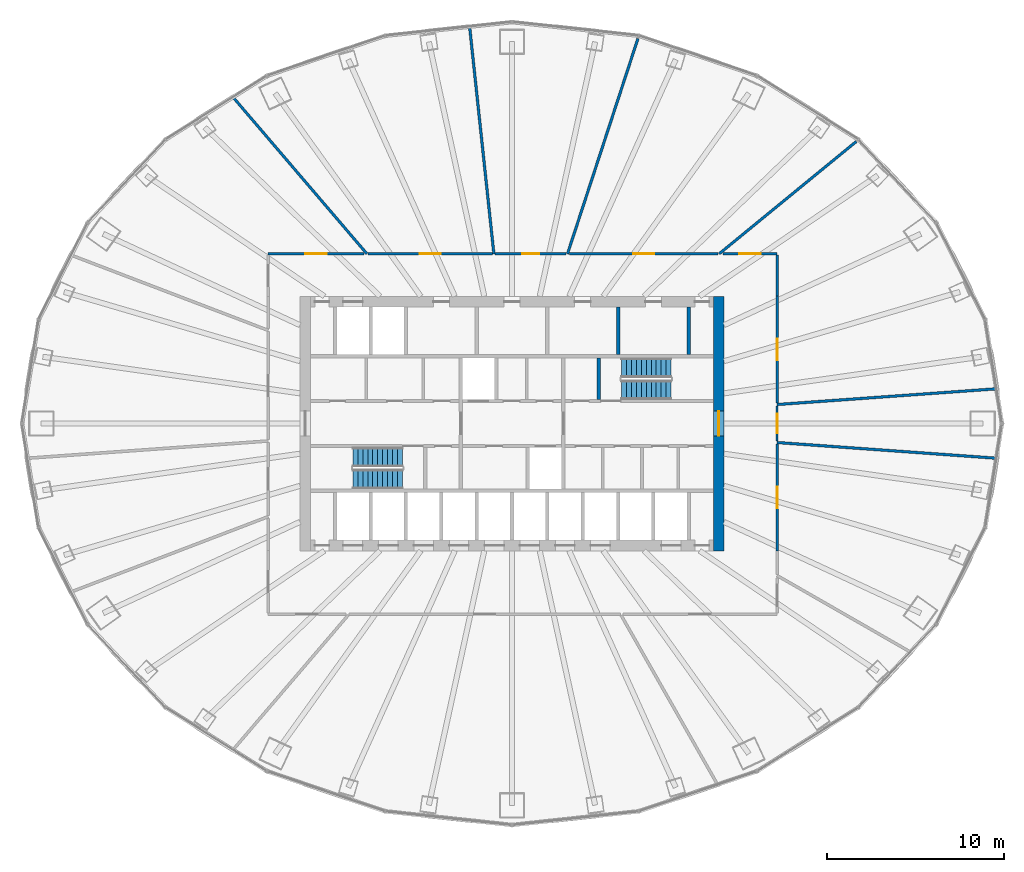
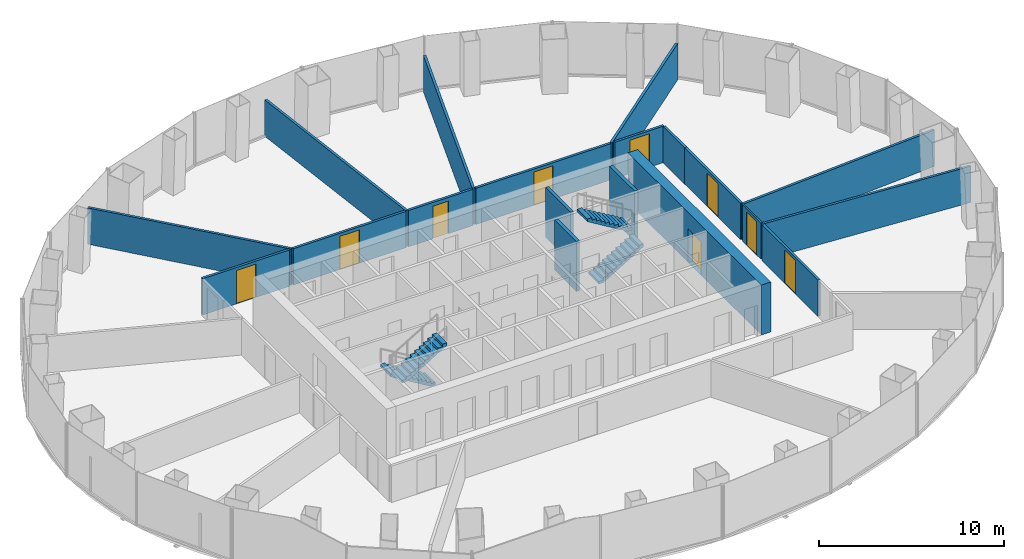
# One storey, part 10 of 11: 19 walls, 9 doors, 4 stair flights, 9 openings, 2 elements without a shape of their own.
"""IFC4 building model written with IfcOpenShell, lengths in metres."""

from ifc_helpers import new_model, si_unit, direction, frame, frame_2d, origin, place, context, subcontext, project, spatial, polyline, rectangle, outline, extrude, material, layer, layer_set, type_object, element, fill, aggregate, save


model = new_model("IFC4")

# Units and contexts
model_context = context("Model", 3, precision=1e-05, world=origin(), true_north=direction((0.0, 1.0)))
body_context = subcontext(model_context, "Body", "Model", "MODEL_VIEW")
ifc_project = project(units=[si_unit("LENGTHUNIT", "METRE"), si_unit("AREAUNIT", "SQUARE_METRE"), si_unit("VOLUMEUNIT", "CUBIC_METRE"), si_unit("PLANEANGLEUNIT", "RADIAN"), si_unit("MASSUNIT", "GRAM", prefix="KILO")], contexts=[model_context])

# Site, building, storey
site_placement = place(None, origin())
site = spatial("IfcSite", under=ifc_project, at=site_placement, CompositionType="ELEMENT")
building_placement = place(site_placement, origin())
building = spatial("IfcBuilding", under=site, at=building_placement, Name="Siaravel Broadcast Tower", CompositionType="ELEMENT")
storey_placement = place(building_placement, frame((0.0, 0.0, 51.89990234375)))
storey = spatial("IfcBuildingStorey", under=building, at=storey_placement, Name="L11", CompositionType="ELEMENT", Elevation=51.89990234375)

# Wall
ifc_material_1 = material(Name="Concrete blockwork", Category="masonry")
ifc_layer_1 = layer(ifc_material_1, 0.199951171875)
ifc_layer_set_1 = layer_set([ifc_layer_1], Name="Concrete blockwork")
wall_type_1 = type_object("IfcWallType", Name="Core partition 200", PredefinedType="PARTITIONING", material=ifc_layer_set_1)
wall_1_placement = place(storey_placement, frame((6.0, 3.89990234375, 0.0), z_axis=(0.0, 0.0, 1.0), x_axis=(0.0, 1.0, 0.0)))
element("IfcWall", 1, at=wall_1_placement, inside=storey, type_object=wall_type_1, Name="L11 core partition PFN6", PredefinedType="PARTITIONING", context=body_context, shape_type="SweptSolid", body=[
    extrude(rectangle(XDim=2.7001953125, YDim=0.199951171875, at=frame_2d((1.35009765625, 0.0))), origin(), (0.0, 0.0, 1.0), 3.300048828125),
])

# Wall, opening, door
ifc_material_2 = material(Name="Concrete C60/75", Category="concrete")
ifc_layer_2 = layer(ifc_material_2, 0.60009765625)
ifc_layer_set_2 = layer_set([ifc_layer_2], Name="Concrete C60/75")
wall_type_2 = type_object("IfcWallType", Name="Core wall 600", PredefinedType="SHEAR", material=ifc_layer_set_2)
wall_2_placement = place(storey_placement, frame((11.699951171875, -7.199951171875, 0.0), z_axis=(0.0, 0.0, 1.0), x_axis=(0.0, 1.0, 0.0)))
wall_2 = element("IfcWall", 2, at=wall_2_placement, inside=storey, type_object=wall_type_2, Name="L11 core wall OE", PredefinedType="SHEAR", context=body_context, shape_type="SweptSolid", body=[
    extrude(rectangle(XDim=14.39990234375, YDim=0.60009765625, at=frame_2d((7.199951171875, 0.0))), origin(), (0.0, 0.0, 1.0), 3.300048828125),
])
opening_1_placement = place(wall_2_placement, frame((6.5, 0.0, 0.0)))
opening_1 = element("IfcOpeningElement", 3, at=opening_1_placement, cuts=wall_2, Name="Opening L11-DX-E", PredefinedType="OPENING", context=body_context, shape_type="SweptSolid", body=[
    extrude(rectangle(XDim=1.39990234375, YDim=2.199951171875, at=frame_2d((0.699951171875, 1.10009765625))), frame((0.0, 0.31005859375, 0.0), z_axis=(0.0, -1.0, 0.0), x_axis=(1.0, 0.0, 0.0)), (0.0, 0.0, 1.0), 0.6201171875),
])
ifc_material_3 = material(Name="Steel", Category="steel")
door_type_1 = type_object("IfcDoorType", Name="Core exit door 1400", OperationType="DOUBLE_DOOR_SINGLE_SWING", PredefinedType="DOOR", material=ifc_material_3)
door_1_placement = place(opening_1_placement, origin())
door_1 = element("IfcDoor", 4, at=door_1_placement, inside=storey, type_object=door_type_1, Name="L11 door DX-E", OperationType="DOUBLE_DOOR_SINGLE_SWING", OverallHeight=2.199951171875, OverallWidth=1.39990234375, PredefinedType="DOOR", context=body_context, shape_type="SweptSolid", body=[
    extrude(rectangle(XDim=1.39990234375, YDim=2.199951171875, at=frame_2d((0.699951171875, 1.10009765625))), frame((0.0, 0.02490234375, 0.0), z_axis=(0.0, -1.0, 0.0), x_axis=(1.0, 0.0, 0.0)), (0.0, 0.0, 1.0), 0.050048828125),
])
fill(opening_1, door_1)

ifc_material_4 = material(Name="Gypsum board partition", Category="gypsum")
ifc_layer_3 = layer(ifc_material_4, 0.14990234375)
ifc_layer_set_3 = layer_set([ifc_layer_3], Name="Gypsum board partition")
wall_type_3 = type_object("IfcWallType", Name="Corridor wall 150", PredefinedType="PARTITIONING", material=ifc_layer_set_3)
wall_3_placement = place(storey_placement, frame((11.67041015625, 9.60009765625, 0.0), z_axis=(0.0, 0.0, 1.0), x_axis=(-1.0, 0.0, 0.0)))
wall_3 = element("IfcWall", 5, at=wall_3_placement, inside=storey, type_object=wall_type_3, Name="L11 partition 15", PredefinedType="PARTITIONING", context=body_context, shape_type="SweptSolid", body=[
    extrude(rectangle(XDim=8.424560546875, YDim=0.14990234375, at=frame_2d((4.21240234375, 0.0))), origin(), (0.0, 0.0, 1.0), 2.400146484375),
])
opening_2_placement = place(wall_3_placement, frame((3.6123046875, 0.0, 0.0)))
opening_2 = element("IfcOpeningElement", 6, at=opening_2_placement, cuts=wall_3, Name="Opening L11-003", PredefinedType="OPENING", context=body_context, shape_type="SweptSolid", body=[
    extrude(rectangle(XDim=1.199951171875, YDim=2.199951171875, at=frame_2d((0.60009765625, 1.10009765625))), frame((0.0, 0.0849609375, 0.0), z_axis=(0.0, -1.0, 0.0), x_axis=(1.0, 0.0, 0.0)), (0.0, 0.0, 1.0), 0.169921875),
])
ifc_material_5 = material(Name="Timber veneer", Category="wood")
door_type_2 = type_object("IfcDoorType", Name="Office double door 1200", OperationType="DOUBLE_DOOR_SINGLE_SWING", PredefinedType="DOOR", material=ifc_material_5)
door_2_placement = place(opening_2_placement, origin())
door_2 = element("IfcDoor", 7, at=door_2_placement, inside=storey, type_object=door_type_2, Name="L11 door to Open plan newsroom", OperationType="DOUBLE_DOOR_SINGLE_SWING", OverallHeight=2.199951171875, OverallWidth=1.199951171875, PredefinedType="DOOR", context=body_context, shape_type="SweptSolid", body=[
    extrude(rectangle(XDim=1.199951171875, YDim=2.199951171875, at=frame_2d((0.60009765625, 1.10009765625))), frame((0.0, 0.02490234375, 0.0), z_axis=(0.0, -1.0, 0.0), x_axis=(1.0, 0.0, 0.0)), (0.0, 0.0, 1.0), 0.050048828125),
])
fill(opening_2, door_2)

wall_4_placement = place(storey_placement, frame((-1.11083984375, 9.60009765625, 0.0), z_axis=(0.0, 0.0, 1.0), x_axis=(-1.0, 0.0, 0.0)))
wall_4 = element("IfcWall", 8, at=wall_4_placement, inside=storey, type_object=wall_type_3, Name="L11 partition 16", PredefinedType="PARTITIONING", context=body_context, shape_type="SweptSolid", body=[
    extrude(rectangle(XDim=7.03662109375, YDim=0.14990234375, at=frame_2d((3.518310546875, 0.0))), origin(), (0.0, 0.0, 1.0), 2.400146484375),
])
opening_3_placement = place(wall_4_placement, frame((2.918212890625, 0.0, 0.0)))
opening_3 = element("IfcOpeningElement", 9, at=opening_3_placement, cuts=wall_4, Name="Opening L11-005", PredefinedType="OPENING", context=body_context, shape_type="SweptSolid", body=[
    extrude(rectangle(XDim=1.199951171875, YDim=2.199951171875, at=frame_2d((0.60009765625, 1.10009765625))), frame((0.0, 0.0849609375, 0.0), z_axis=(0.0, -1.0, 0.0), x_axis=(1.0, 0.0, 0.0)), (0.0, 0.0, 1.0), 0.169921875),
])
door_3_placement = place(opening_3_placement, origin())
door_3 = element("IfcDoor", 10, at=door_3_placement, inside=storey, type_object=door_type_2, Name="L11 door to Open plan newsroom", OperationType="DOUBLE_DOOR_SINGLE_SWING", OverallHeight=2.199951171875, OverallWidth=1.199951171875, PredefinedType="DOOR", context=body_context, shape_type="SweptSolid", body=[
    extrude(rectangle(XDim=1.199951171875, YDim=2.199951171875, at=frame_2d((0.60009765625, 1.10009765625))), frame((0.0, 0.02490234375, 0.0), z_axis=(0.0, -1.0, 0.0), x_axis=(1.0, 0.0, 0.0)), (0.0, 0.0, 1.0), 0.050048828125),
])
fill(opening_3, door_3)

wall_5_placement = place(storey_placement, frame((15.0, -7.2119140625, 0.0), z_axis=(0.0, 0.0, 1.0), x_axis=(0.0, 1.0, 0.0)))
wall_5 = element("IfcWall", 11, at=wall_5_placement, inside=storey, type_object=wall_type_3, Name="L11 partition 18", PredefinedType="PARTITIONING", context=body_context, shape_type="SweptSolid", body=[
    extrude(rectangle(XDim=6.054443359375, YDim=0.14990234375, at=frame_2d((3.02734375, 0.0))), origin(), (0.0, 0.0, 1.0), 2.400146484375),
])
opening_4_placement = place(wall_5_placement, frame((2.42724609375, 0.0, 0.0)))
opening_4 = element("IfcOpeningElement", 12, at=opening_4_placement, cuts=wall_5, Name="Opening L11-015", PredefinedType="OPENING", context=body_context, shape_type="SweptSolid", body=[
    extrude(rectangle(XDim=1.199951171875, YDim=2.199951171875, at=frame_2d((0.60009765625, 1.10009765625))), frame((0.0, 0.0849609375, 0.0), z_axis=(0.0, -1.0, 0.0), x_axis=(1.0, 0.0, 0.0)), (0.0, 0.0, 1.0), 0.169921875),
])
door_4_placement = place(opening_4_placement, origin())
door_4 = element("IfcDoor", 13, at=door_4_placement, inside=storey, type_object=door_type_2, Name="L11 door to Open plan newsroom", OperationType="DOUBLE_DOOR_SINGLE_SWING", OverallHeight=2.199951171875, OverallWidth=1.199951171875, PredefinedType="DOOR", context=body_context, shape_type="SweptSolid", body=[
    extrude(rectangle(XDim=1.199951171875, YDim=2.199951171875, at=frame_2d((0.60009765625, 1.10009765625))), frame((0.0, 0.02490234375, 0.0), z_axis=(0.0, -1.0, 0.0), x_axis=(1.0, 0.0, 0.0)), (0.0, 0.0, 1.0), 0.050048828125),
])
fill(opening_4, door_4)

wall_6_placement = place(storey_placement, frame((15.0, 1.157470703125, 0.0), z_axis=(0.0, 0.0, 1.0), x_axis=(0.0, 1.0, 0.0)))
wall_6 = element("IfcWall", 14, at=wall_6_placement, inside=storey, type_object=wall_type_3, Name="L11 partition 19", PredefinedType="PARTITIONING", context=body_context, shape_type="SweptSolid", body=[
    extrude(rectangle(XDim=6.054443359375, YDim=0.14990234375, at=frame_2d((3.02734375, 0.0))), origin(), (0.0, 0.0, 1.0), 2.400146484375),
])
opening_5_placement = place(wall_6_placement, frame((2.42724609375, 0.0, 0.0)))
opening_5 = element("IfcOpeningElement", 15, at=opening_5_placement, cuts=wall_6, Name="Opening L11-001", PredefinedType="OPENING", context=body_context, shape_type="SweptSolid", body=[
    extrude(rectangle(XDim=1.199951171875, YDim=2.199951171875, at=frame_2d((0.60009765625, 1.10009765625))), frame((0.0, 0.0849609375, 0.0), z_axis=(0.0, -1.0, 0.0), x_axis=(1.0, 0.0, 0.0)), (0.0, 0.0, 1.0), 0.169921875),
])
door_5_placement = place(opening_5_placement, origin())
door_5 = element("IfcDoor", 16, at=door_5_placement, inside=storey, type_object=door_type_2, Name="L11 door to Open plan newsroom", OperationType="DOUBLE_DOOR_SINGLE_SWING", OverallHeight=2.199951171875, OverallWidth=1.199951171875, PredefinedType="DOOR", context=body_context, shape_type="SweptSolid", body=[
    extrude(rectangle(XDim=1.199951171875, YDim=2.199951171875, at=frame_2d((0.60009765625, 1.10009765625))), frame((0.0, 0.02490234375, 0.0), z_axis=(0.0, -1.0, 0.0), x_axis=(1.0, 0.0, 0.0)), (0.0, 0.0, 1.0), 0.050048828125),
])
fill(opening_5, door_5)

wall_7_placement = place(storey_placement, frame((-8.37109375, 9.60009765625, 0.0), z_axis=(0.0, 0.0, 1.0), x_axis=(-1.0, 0.0, 0.0)))
wall_7 = element("IfcWall", 17, at=wall_7_placement, inside=storey, type_object=wall_type_3, Name="L11 partition 20", PredefinedType="PARTITIONING", context=body_context, shape_type="SweptSolid", body=[
    extrude(rectangle(XDim=5.428955078125, YDim=0.14990234375, at=frame_2d((2.71435546875, 0.0))), origin(), (0.0, 0.0, 1.0), 2.400146484375),
])
opening_6_placement = place(wall_7_placement, frame((2.114501953125, 0.0, 0.0)))
opening_6 = element("IfcOpeningElement", 18, at=opening_6_placement, cuts=wall_7, Name="Opening L11-006", PredefinedType="OPENING", context=body_context, shape_type="SweptSolid", body=[
    extrude(rectangle(XDim=1.199951171875, YDim=2.199951171875, at=frame_2d((0.60009765625, 1.10009765625))), frame((0.0, 0.0849609375, 0.0), z_axis=(0.0, -1.0, 0.0), x_axis=(1.0, 0.0, 0.0)), (0.0, 0.0, 1.0), 0.169921875),
])
door_6_placement = place(opening_6_placement, origin())
door_6 = element("IfcDoor", 19, at=door_6_placement, inside=storey, type_object=door_type_2, Name="L11 door to Open plan newsroom", OperationType="DOUBLE_DOOR_SINGLE_SWING", OverallHeight=2.199951171875, OverallWidth=1.199951171875, PredefinedType="DOOR", context=body_context, shape_type="SweptSolid", body=[
    extrude(rectangle(XDim=1.199951171875, YDim=2.199951171875, at=frame_2d((0.60009765625, 1.10009765625))), frame((0.0, 0.02490234375, 0.0), z_axis=(0.0, -1.0, 0.0), x_axis=(1.0, 0.0, 0.0)), (0.0, 0.0, 1.0), 0.050048828125),
])
fill(opening_6, door_6)

wall_8_placement = place(storey_placement, frame((3.067138671875, 9.60009765625, 0.0), z_axis=(0.0, 0.0, 1.0), x_axis=(-1.0, 0.0, 0.0)))
wall_8 = element("IfcWall", 20, at=wall_8_placement, inside=storey, type_object=wall_type_3, Name="L11 partition 23", PredefinedType="PARTITIONING", context=body_context, shape_type="SweptSolid", body=[
    extrude(rectangle(XDim=4.015869140625, YDim=0.14990234375, at=frame_2d((2.0078125, 0.0))), origin(), (0.0, 0.0, 1.0), 2.400146484375),
])
opening_7_placement = place(wall_8_placement, frame((1.532958984375, 0.0, 0.0)))
opening_7 = element("IfcOpeningElement", 21, at=opening_7_placement, cuts=wall_8, Name="Opening L11-004", PredefinedType="OPENING", context=body_context, shape_type="SweptSolid", body=[
    extrude(rectangle(XDim=0.949951171875, YDim=2.14990234375, at=frame_2d((0.47509765625, 1.074951171875))), frame((0.0, 0.0849609375, 0.0), z_axis=(0.0, -1.0, 0.0), x_axis=(1.0, 0.0, 0.0)), (0.0, 0.0, 1.0), 0.169921875),
])
door_type_3 = type_object("IfcDoorType", Name="Office door 950", OperationType="SINGLE_SWING_LEFT", PredefinedType="DOOR", material=ifc_material_5)
door_7_placement = place(opening_7_placement, origin())
door_7 = element("IfcDoor", 22, at=door_7_placement, inside=storey, type_object=door_type_3, Name="L11 door to Production office", OperationType="SINGLE_SWING_RIGHT", OverallHeight=2.14990234375, OverallWidth=0.949951171875, PredefinedType="DOOR", context=body_context, shape_type="SweptSolid", body=[
    extrude(rectangle(XDim=0.949951171875, YDim=2.14990234375, at=frame_2d((0.47509765625, 1.074951171875))), frame((0.0, 0.02490234375, 0.0), z_axis=(0.0, -1.0, 0.0), x_axis=(1.0, 0.0, 0.0)), (0.0, 0.0, 1.0), 0.050048828125),
])
fill(opening_7, door_7)

wall_9_placement = place(storey_placement, frame((15.0, 9.60009765625, 0.0), z_axis=(0.0, 0.0, 1.0), x_axis=(-1.0, 0.0, 0.0)))
wall_9 = element("IfcWall", 23, at=wall_9_placement, inside=storey, type_object=wall_type_3, Name="L11 partition 25", PredefinedType="PARTITIONING", context=body_context, shape_type="SweptSolid", body=[
    extrude(rectangle(XDim=3.068115234375, YDim=0.14990234375, at=frame_2d((1.5341796875, 0.0))), origin(), (0.0, 0.0, 1.0), 2.400146484375),
])
opening_8_placement = place(wall_9_placement, frame((0.93408203125, 0.0, 0.0)))
opening_8 = element("IfcOpeningElement", 24, at=opening_8_placement, cuts=wall_9, Name="Opening L11-002", PredefinedType="OPENING", context=body_context, shape_type="SweptSolid", body=[
    extrude(rectangle(XDim=1.199951171875, YDim=2.199951171875, at=frame_2d((0.60009765625, 1.10009765625))), frame((0.0, 0.0849609375, 0.0), z_axis=(0.0, -1.0, 0.0), x_axis=(1.0, 0.0, 0.0)), (0.0, 0.0, 1.0), 0.169921875),
])
door_8_placement = place(opening_8_placement, origin())
door_8 = element("IfcDoor", 25, at=door_8_placement, inside=storey, type_object=door_type_2, Name="L11 door to Open plan newsroom", OperationType="DOUBLE_DOOR_SINGLE_SWING", OverallHeight=2.199951171875, OverallWidth=1.199951171875, PredefinedType="DOOR", context=body_context, shape_type="SweptSolid", body=[
    extrude(rectangle(XDim=1.199951171875, YDim=2.199951171875, at=frame_2d((0.60009765625, 1.10009765625))), frame((0.0, 0.02490234375, 0.0), z_axis=(0.0, -1.0, 0.0), x_axis=(1.0, 0.0, 0.0)), (0.0, 0.0, 1.0), 0.050048828125),
])
fill(opening_8, door_8)

# Wall
wall_10_placement = place(storey_placement, frame((15.0, 7.212890625, 0.0), z_axis=(0.0, 0.0, 1.0), x_axis=(0.0, 1.0, 0.0)))
element("IfcWall", 26, at=wall_10_placement, inside=storey, type_object=wall_type_3, Name="L11 partition 27", PredefinedType="PARTITIONING", context=body_context, shape_type="SweptSolid", body=[
    extrude(rectangle(XDim=2.31005859375, YDim=0.14990234375, at=frame_2d((1.155029296875, 0.0))), origin(), (0.0, 0.0, 1.0), 2.400146484375),
])

# Wall, opening, door
ifc_material_6 = material(Name="Glazed aluminium partition", Category="aluminium")
ifc_layer_4 = layer(ifc_material_6, 0.10009765625)
ifc_layer_set_4 = layer_set([ifc_layer_4], Name="Glazed aluminium partition")
wall_type_4 = type_object("IfcWallType", Name="Glazed meeting room partition 100", PredefinedType="PARTITIONING", material=ifc_layer_set_4)
wall_11_placement = place(storey_placement, frame((15.0, -0.998046875, 0.0), z_axis=(0.0, 0.0, 1.0), x_axis=(0.0, 1.0, 0.0)))
wall_11 = element("IfcWall", 27, at=wall_11_placement, inside=storey, type_object=wall_type_4, Name="L11 partition 29", PredefinedType="PARTITIONING", context=body_context, shape_type="SweptSolid", body=[
    extrude(rectangle(XDim=1.99609375, YDim=0.10009765625, at=frame_2d((0.998046875, 0.0))), origin(), (0.0, 0.0, 1.0), 2.400146484375),
])
opening_9_placement = place(wall_11_placement, frame((0.447998046875, 0.0, 0.0)))
opening_9 = element("IfcOpeningElement", 28, at=opening_9_placement, cuts=wall_11, Name="Opening L11-016", PredefinedType="OPENING", context=body_context, shape_type="SweptSolid", body=[
    extrude(rectangle(XDim=1.10009765625, YDim=2.199951171875, at=frame_2d((0.550048828125, 1.10009765625))), frame((0.0, 0.06005859375, 0.0), z_axis=(0.0, -1.0, 0.0), x_axis=(1.0, 0.0, 0.0)), (0.0, 0.0, 1.0), 0.1201171875),
])
door_type_4 = type_object("IfcDoorType", Name="Meeting room door 1100", OperationType="SINGLE_SWING_LEFT", PredefinedType="DOOR", material=ifc_material_5)
door_9_placement = place(opening_9_placement, origin())
door_9 = element("IfcDoor", 29, at=door_9_placement, inside=storey, type_object=door_type_4, Name="L11 door to Meeting room", OperationType="SINGLE_SWING_RIGHT", OverallHeight=2.199951171875, OverallWidth=1.10009765625, PredefinedType="DOOR", context=body_context, shape_type="SweptSolid", body=[
    extrude(rectangle(XDim=1.10009765625, YDim=2.199951171875, at=frame_2d((0.550048828125, 1.10009765625))), frame((0.0, 0.02490234375, 0.0), z_axis=(0.0, -1.0, 0.0), x_axis=(1.0, 0.0, 0.0)), (0.0, 0.0, 1.0), 0.050048828125),
])
fill(opening_9, door_9)

# Walls
ifc_layer_5 = layer(ifc_material_4, 0.14990234375)
ifc_layer_set_5 = layer_set([ifc_layer_5], Name="Gypsum board partition")
wall_type_5 = type_object("IfcWallType", Name="Room partition 150", PredefinedType="PARTITIONING", material=ifc_layer_set_5)
wall_12_placement = place(storey_placement, frame((-2.39990234375, 22.468994140625, 0.0), z_axis=(0.0, 0.0, 1.0), x_axis=(0.106204745, -0.994344283, 0.0)))
element("IfcWall", 30, at=wall_12_placement, inside=storey, type_object=wall_type_5, Name="L11 partition 3", PredefinedType="PARTITIONING", context=body_context, shape_type="SweptSolid", body=[
    extrude(rectangle(XDim=12.942138671875, YDim=0.14990234375, at=frame_2d((6.47119140625, 0.0))), origin(), (0.0, 0.0, 1.0), 2.400146484375),
])
wall_13_placement = place(storey_placement, frame((7.126953125, 21.787109375, 0.0), z_axis=(0.0, 0.0, 1.0), x_axis=(-0.310904913, -0.950441021, 0.0)))
element("IfcWall", 31, at=wall_13_placement, inside=storey, type_object=wall_type_5, Name="L11 partition 4", PredefinedType="PARTITIONING", context=body_context, shape_type="SweptSolid", body=[
    extrude(rectangle(XDim=12.822509765625, YDim=0.14990234375, at=frame_2d((6.4111328125, 0.0))), origin(), (0.0, 0.0, 1.0), 2.400146484375),
])
for number, where, z_axis, x_axis, name in (
    (32, (15.0, 1.074951171875, 0.0), (0.0, 0.0, 1.0), (0.997442798, 0.071469326, 0.0), "L11 partition 5"),
    (33, (27.45703125, -1.967529296875, 0.0), (0.0, 0.0, 1.0), (-0.997442798, 0.071469326, 0.0), "L11 partition 6"),
):
    element("IfcWall", number, at=place(storey_placement, frame(where, z_axis=z_axis, x_axis=x_axis)), inside=storey, type_object=wall_type_5, Name=name, PredefinedType="PARTITIONING", context=body_context, shape_type="SweptSolid", body=[
        extrude(rectangle(XDim=12.489013671875, YDim=0.14990234375, at=frame_2d((6.24462890625, 0.0))), origin(), (0.0, 0.0, 1.0), 2.400146484375),
    ])
wall_14_placement = place(storey_placement, frame((-15.7978515625, 18.48046875, 0.0), z_axis=(0.0, 0.0, 1.0), x_axis=(0.649782318, -0.760120345, 0.0)))
element("IfcWall", 34, at=wall_14_placement, inside=storey, type_object=wall_type_5, Name="L11 partition 9", PredefinedType="PARTITIONING", context=body_context, shape_type="SweptSolid", body=[
    extrude(rectangle(XDim=11.682861328125, YDim=0.14990234375, at=frame_2d((5.84130859375, 0.0))), origin(), (0.0, 0.0, 1.0), 2.400146484375),
])
wall_15_placement = place(storey_placement, frame((19.478515625, 15.955078125, 0.0), z_axis=(0.0, 0.0, 1.0), x_axis=(-0.773611193, -0.633660573, 0.0)))
element("IfcWall", 35, at=wall_15_placement, inside=storey, type_object=wall_type_5, Name="L11 partition 12", PredefinedType="PARTITIONING", context=body_context, shape_type="SweptSolid", body=[
    extrude(rectangle(XDim=10.029052734375, YDim=0.14990234375, at=frame_2d((5.0146484375, 0.0))), origin(), (0.0, 0.0, 1.0), 2.400146484375),
])
ifc_layer_6 = layer(ifc_material_2, 0.199951171875)
ifc_layer_set_6 = layer_set([ifc_layer_6], Name="Concrete C60/75")
wall_type_6 = type_object("IfcWallType", Name="Shaft wall 200", PredefinedType="SHEAR", material=ifc_layer_set_6)
wall_16_placement = place(storey_placement, frame((10.0, 3.89990234375, 0.0), z_axis=(0.0, 0.0, 1.0), x_axis=(0.0, 1.0, 0.0)))
element("IfcWall", 36, at=wall_16_placement, inside=storey, type_object=wall_type_6, Name="L11 core wall SWN10", PredefinedType="SHEAR", context=body_context, shape_type="SweptSolid", body=[
    extrude(rectangle(XDim=2.7001953125, YDim=0.199951171875, at=frame_2d((1.35009765625, 0.0))), origin(), (0.0, 0.0, 1.0), 3.300048828125),
])
wall_17_placement = place(storey_placement, frame((4.89990234375, 1.35009765625, 0.0), z_axis=(0.0, 0.0, 1.0), x_axis=(0.0, 1.0, 0.0)))
element("IfcWall", 37, at=wall_17_placement, inside=storey, type_object=wall_type_6, Name="L11 core wall ST2W", PredefinedType="SHEAR", context=body_context, shape_type="SweptSolid", body=[
    extrude(rectangle(XDim=2.349853515625, YDim=0.199951171875, at=frame_2d((1.1748046875, 0.0))), origin(), (0.0, 0.0, 1.0), 3.300048828125),
])

# Stair, stair flights
ifc_material_7 = material(Name="Concrete C40/50", Category="concrete")
stair_type = type_object("IfcStairType", Name="Core exit stair", PredefinedType="HALF_TURN_STAIR", material=ifc_material_7)
stair_1_placement = place(storey_placement, origin())
stair_1 = element("IfcStair", 38, at=stair_1_placement, inside=storey, type_object=stair_type, Name="L11 Exit stair ST-1", PredefinedType="HALF_TURN_STAIR")
stair_flight_type = type_object("IfcStairFlightType", Name="Stair flight 1100", PredefinedType="STRAIGHT", material=ifc_material_7)
stair_flight_1_placement = place(storey_placement, frame((-6.199951171875, -1.89990234375, 0.0), z_axis=(0.0, 0.0, 1.0), x_axis=(-1.0, 0.0, 0.0)))
stair_flight_1 = element("IfcStairFlight", 39, at=stair_flight_1_placement, type_object=stair_flight_type, Name="ST-1 flight 1", NumberOfRisers=11, NumberOfTreads=10, PredefinedType="STRAIGHT", RiserHeight=0.1681818, TreadLength=0.28, context=body_context, shape_type="SweptSolid", body=[
    extrude(outline(polyline([(0.0, 0.0), (0.0, 0.168212890625), (0.280029296875, 0.168212890625), (0.280029296875, 0.33642578125), (0.56005859375, 0.33642578125), (0.56005859375, 0.504638671875), (0.840087890625, 0.504638671875), (0.840087890625, 0.672607421875), (1.1201171875, 0.672607421875), (1.1201171875, 0.8408203125), (1.39990234375, 0.8408203125), (1.39990234375, 1.009033203125), (1.679931640625, 1.009033203125), (1.679931640625, 1.17724609375), (1.9599609375, 1.17724609375), (1.9599609375, 1.345458984375), (2.239990234375, 1.345458984375), (2.239990234375, 1.513671875), (2.52001953125, 1.513671875), (2.52001953125, 1.681884765625), (2.800048828125, 1.681884765625), (2.800048828125, 1.85009765625), (2.800048828125, 1.5068359375), (0.291015625, 0.0), (0.0, 0.0)])), frame((0.0, 0.550048828125, 0.0), z_axis=(0.0, -1.0, 0.0), x_axis=(1.0, 0.0, 0.0)), (0.0, 0.0, 1.0), 1.10009765625),
])
stair_flight_2_placement = place(storey_placement, frame((-9.0, -3.14990234375, 1.85009765625), z_axis=(0.0, 0.0, 1.0), x_axis=(1.0, 0.0, 0.0)))
stair_flight_2 = element("IfcStairFlight", 40, at=stair_flight_2_placement, type_object=stair_flight_type, Name="ST-1 flight 2", NumberOfRisers=11, NumberOfTreads=10, PredefinedType="STRAIGHT", RiserHeight=0.1681818, TreadLength=0.28, context=body_context, shape_type="SweptSolid", body=[
    extrude(outline(polyline([(0.0, 0.0), (0.0, 0.168212890625), (0.280029296875, 0.168212890625), (0.280029296875, 0.33642578125), (0.56005859375, 0.33642578125), (0.56005859375, 0.504638671875), (0.840087890625, 0.504638671875), (0.840087890625, 0.672607421875), (1.1201171875, 0.672607421875), (1.1201171875, 0.8408203125), (1.39990234375, 0.8408203125), (1.39990234375, 1.009033203125), (1.679931640625, 1.009033203125), (1.679931640625, 1.17724609375), (1.9599609375, 1.17724609375), (1.9599609375, 1.345458984375), (2.239990234375, 1.345458984375), (2.239990234375, 1.513671875), (2.52001953125, 1.513671875), (2.52001953125, 1.681884765625), (2.800048828125, 1.681884765625), (2.800048828125, 1.85009765625), (2.800048828125, 1.5068359375), (0.291015625, 0.0), (0.0, 0.0)])), frame((0.0, 0.550048828125, 0.0), z_axis=(0.0, -1.0, 0.0), x_axis=(1.0, 0.0, 0.0)), (0.0, 0.0, 1.0), 1.10009765625),
])
aggregate(stair_1, [stair_flight_1, stair_flight_2])

stair_2_placement = place(storey_placement, origin())
stair_2 = element("IfcStair", 41, at=stair_2_placement, inside=storey, type_object=stair_type, Name="L11 Exit stair ST-2", PredefinedType="HALF_TURN_STAIR")
stair_flight_3_placement = place(storey_placement, frame((6.199951171875, 1.89990234375, 0.0), z_axis=(0.0, 0.0, 1.0), x_axis=(1.0, 0.0, 0.0)))
stair_flight_3 = element("IfcStairFlight", 42, at=stair_flight_3_placement, type_object=stair_flight_type, Name="ST-2 flight 1", NumberOfRisers=11, NumberOfTreads=10, PredefinedType="STRAIGHT", RiserHeight=0.1681818, TreadLength=0.28, context=body_context, shape_type="SweptSolid", body=[
    extrude(outline(polyline([(0.0, 0.0), (0.0, 0.168212890625), (0.280029296875, 0.168212890625), (0.280029296875, 0.33642578125), (0.56005859375, 0.33642578125), (0.56005859375, 0.504638671875), (0.840087890625, 0.504638671875), (0.840087890625, 0.672607421875), (1.1201171875, 0.672607421875), (1.1201171875, 0.8408203125), (1.39990234375, 0.8408203125), (1.39990234375, 1.009033203125), (1.679931640625, 1.009033203125), (1.679931640625, 1.17724609375), (1.9599609375, 1.17724609375), (1.9599609375, 1.345458984375), (2.239990234375, 1.345458984375), (2.239990234375, 1.513671875), (2.52001953125, 1.513671875), (2.52001953125, 1.681884765625), (2.800048828125, 1.681884765625), (2.800048828125, 1.85009765625), (2.800048828125, 1.5068359375), (0.291015625, 0.0), (0.0, 0.0)])), frame((0.0, 0.550048828125, 0.0), z_axis=(0.0, -1.0, 0.0), x_axis=(1.0, 0.0, 0.0)), (0.0, 0.0, 1.0), 1.10009765625),
])
stair_flight_4_placement = place(storey_placement, frame((9.0, 3.14990234375, 1.85009765625), z_axis=(0.0, 0.0, 1.0), x_axis=(-1.0, 0.0, 0.0)))
stair_flight_4 = element("IfcStairFlight", 43, at=stair_flight_4_placement, type_object=stair_flight_type, Name="ST-2 flight 2", NumberOfRisers=11, NumberOfTreads=10, PredefinedType="STRAIGHT", RiserHeight=0.1681818, TreadLength=0.28, context=body_context, shape_type="SweptSolid", body=[
    extrude(outline(polyline([(0.0, 0.0), (0.0, 0.168212890625), (0.280029296875, 0.168212890625), (0.280029296875, 0.33642578125), (0.56005859375, 0.33642578125), (0.56005859375, 0.504638671875), (0.840087890625, 0.504638671875), (0.840087890625, 0.672607421875), (1.1201171875, 0.672607421875), (1.1201171875, 0.8408203125), (1.39990234375, 0.8408203125), (1.39990234375, 1.009033203125), (1.679931640625, 1.009033203125), (1.679931640625, 1.17724609375), (1.9599609375, 1.17724609375), (1.9599609375, 1.345458984375), (2.239990234375, 1.345458984375), (2.239990234375, 1.513671875), (2.52001953125, 1.513671875), (2.52001953125, 1.681884765625), (2.800048828125, 1.681884765625), (2.800048828125, 1.85009765625), (2.800048828125, 1.5068359375), (0.291015625, 0.0), (0.0, 0.0)])), frame((0.0, 0.550048828125, 0.0), z_axis=(0.0, -1.0, 0.0), x_axis=(1.0, 0.0, 0.0)), (0.0, 0.0, 1.0), 1.10009765625),
])
aggregate(stair_2, [stair_flight_3, stair_flight_4])

save(model, "model.ifc")
